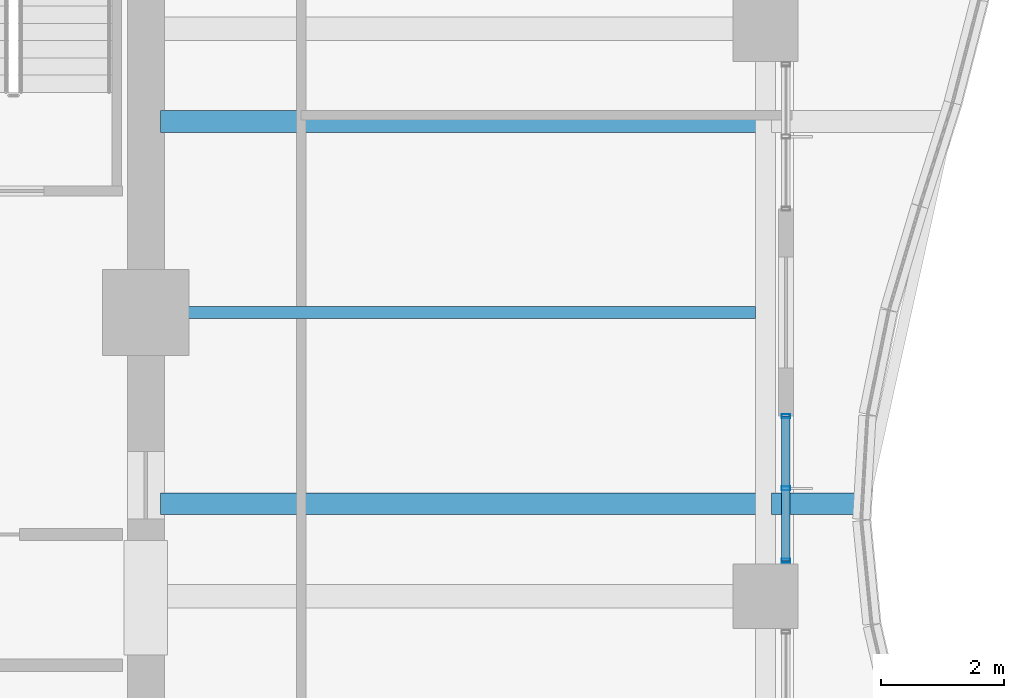
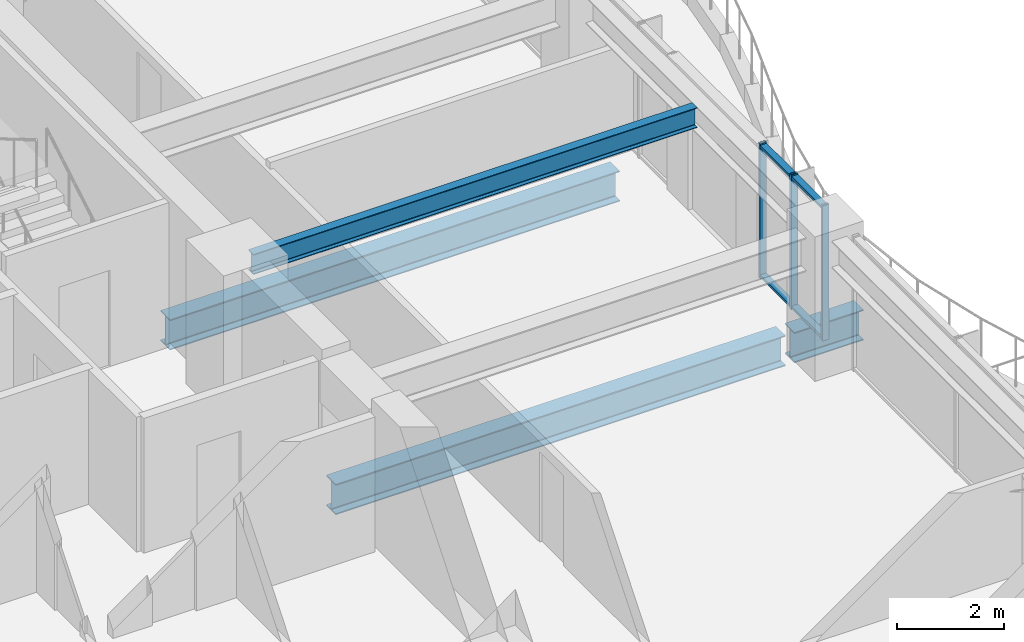
# One storey, part 16 of 36: 5 members, 4 beams, 1 element without a shape of its own.
"""IFC4 building model written with IfcOpenShell, lengths in metres."""

from ifc_helpers import new_model, si_unit, direction, frame, origin, origin_2d, place, context, subcontext, project, spatial, hollow_rectangle, i_section, extrude, material, material_profile, profile_set, type_object, element, aggregate, save


model = new_model("IFC4")

# Units and contexts
model_context = context("Model", 3, precision=1e-05, world=origin(), true_north=direction((0.0, 1.0)))
body_context = subcontext(model_context, "Body", "Model", "MODEL_VIEW")
ifc_project = project(units=[si_unit("LENGTHUNIT", "METRE"), si_unit("AREAUNIT", "SQUARE_METRE"), si_unit("VOLUMEUNIT", "CUBIC_METRE"), si_unit("PLANEANGLEUNIT", "RADIAN"), si_unit("MASSUNIT", "GRAM", prefix="KILO")], contexts=[model_context])

# Site, building, storey
site_placement = place(None, origin())
site = spatial("IfcSite", under=ifc_project, at=site_placement, CompositionType="ELEMENT")
building_placement = place(site_placement, origin())
building = spatial("IfcBuilding", under=site, at=building_placement, Name="Kolvaren Belvedere", CompositionType="ELEMENT")
storey_placement = place(building_placement, frame((0.0, 0.0, 95.300048828125)))
storey = spatial("IfcBuildingStorey", under=building, at=storey_placement, Name="L27", CompositionType="ELEMENT", Elevation=95.300048828125)

# Beams
ifc_material_1 = material(Name="Structural steel ASTM A992 Grade 50", Category="steel")
ifc_material_profile_1 = material_profile(ifc_material_1, i_section(OverallWidth=0.35498046875, OverallDepth=0.696044921875, WebThickness=0.015380859375, FlangeThickness=0.02490234375, FilletRadius=0.02197265625, at=origin_2d()), Name="W27X146")
ifc_profile_set_1 = profile_set([ifc_material_profile_1], Name="Structural steel ASTM A992 Grade 50")
beam_type_1 = type_object("IfcBeamType", Name="BM-CANT-BAL", PredefinedType="BEAM", material=ifc_profile_set_1)
beam_1_placement = place(storey_placement, frame((20.044921875, -3.10009765625, -0.568115234375), z_axis=(1.0, 0.0, 0.0), x_axis=(0.0, 1.0, 0.0)))
element("IfcBeam", 1, at=beam_1_placement, inside=storey, type_object=beam_type_1, Name="L27 Planted Balcony Cantilever BAL-E-1", PredefinedType="BEAM", context=body_context, shape_type="SweptSolid", body=[
    extrude(i_section(OverallWidth=0.35498046875, OverallDepth=0.696044921875, WebThickness=0.015380859375, FlangeThickness=0.02490234375, FilletRadius=0.02197265625, at=origin_2d()), origin(), (0.0, 0.0, 1.0), 1.49267578125),
])
ifc_material_2 = material(Name="Structural steel ASTM A992 Grade 50", Category="steel")
ifc_material_profile_2 = material_profile(ifc_material_2, i_section(OverallWidth=0.35498046875, OverallDepth=0.696044921875, WebThickness=0.015380859375, FlangeThickness=0.02490234375, FilletRadius=0.02197265625, at=origin_2d()), Name="W27X146")
ifc_profile_set_2 = profile_set([ifc_material_profile_2], Name="Structural steel ASTM A992 Grade 50")
beam_type_2 = type_object("IfcBeamType", Name="BM-GIRD-W27X146", PredefinedType="BEAM", material=ifc_profile_set_2)
for number, where, z_axis, x_axis, name in (
    (2, (10.139892578125, -3.10009765625, -0.568115234375), (1.0, 0.0, 0.0), (0.0, 1.0, 0.0), "L27 Balcony Interior Back-Span Girder BAL-E-1"),
    (3, (10.139892578125, 3.10009765625, -0.568115234375), (1.0, 0.0, 0.0), (0.0, 1.0, 0.0), "L27 Balcony Interior Back-Span Girder BAL-E-2"),
):
    element("IfcBeam", number, at=place(storey_placement, frame(where, z_axis=z_axis, x_axis=x_axis)), inside=storey, type_object=beam_type_2, Name=name, PredefinedType="BEAM", context=body_context, shape_type="SweptSolid", body=[
        extrude(i_section(OverallWidth=0.35498046875, OverallDepth=0.696044921875, WebThickness=0.015380859375, FlangeThickness=0.02490234375, FilletRadius=0.02197265625, at=origin_2d()), origin(), (0.0, 0.0, 1.0), 9.715087890625),
    ])
ifc_material_3 = material(Name="Structural steel ASTM A992 Grade 50", Category="steel")
ifc_material_profile_3 = material_profile(ifc_material_3, i_section(OverallWidth=0.19091796875, OverallDepth=0.4599609375, WebThickness=0.010009765625, FlangeThickness=0.01611328125, FilletRadius=0.014892578125, at=origin_2d()), Name="W18X55")
ifc_profile_set_3 = profile_set([ifc_material_profile_3], Name="Structural steel ASTM A992 Grade 50")
beam_type_3 = type_object("IfcBeamType", Name="BM-JOIST-W18X55", PredefinedType="BEAM", material=ifc_profile_set_3)
beam_2_placement = place(storey_placement, frame((10.199951171875, 0.0, 2.849853515625), z_axis=(1.0, 0.0, 0.0), x_axis=(0.0, 1.0, 0.0)))
element("IfcBeam", 4, at=beam_2_placement, inside=storey, type_object=beam_type_3, Name="L27 East Centre Floor Beam", PredefinedType="BEAM", context=body_context, shape_type="SweptSolid", body=[
    extrude(i_section(OverallWidth=0.19091796875, OverallDepth=0.4599609375, WebThickness=0.010009765625, FlangeThickness=0.01611328125, FilletRadius=0.014892578125, at=origin_2d()), origin(), (0.0, 0.0, 1.0), 9.587646484375),
])

# Curtain wall, members
ifc_material_4 = material(Name="Anodised pale-metal aluminium AA 6063-T6", Category="aluminium")
curtain_wall_type = type_object("IfcCurtainWallType", Name="CW-Z2-MID", PredefinedType="NOTDEFINED", material=ifc_material_4)
curtain_wall_placement = place(storey_placement, origin())
curtain_wall = element("IfcCurtainWall", 5, at=curtain_wall_placement, inside=storey, type_object=curtain_wall_type, Name="L27 Unitised Curtain Wall FCW-L27-E2-B1", PredefinedType="NOTDEFINED")
ifc_material_5 = material(Name="Anodised pale-metal aluminium AA 6063-T6", Category="aluminium")
ifc_material_profile_4 = material_profile(ifc_material_5, hollow_rectangle(XDim=0.06494140625, YDim=0.139892578125, WallThickness=0.00390625, at=origin_2d()), Name="ALU-MUL-140X65")
ifc_profile_set_4 = profile_set([ifc_material_profile_4], Name="Anodised pale-metal aluminium AA 6063-T6")
member_type_1 = type_object("IfcMemberType", Name="CW-MUL-140", PredefinedType="MULLION", material=ifc_profile_set_4)
member_1_placement = place(storey_placement, frame((20.280029296875, -1.679931640625, 0.0), z_axis=(0.0, 0.0, 1.0), x_axis=(0.0, 1.0, 0.0)))
member_1 = element("IfcMember", 6, at=member_1_placement, type_object=member_type_1, Name="FCW-L27-E2-B1 Unitised Mullion 1", PredefinedType="MULLION", context=body_context, shape_type="SweptSolid", body=[
    extrude(hollow_rectangle(XDim=0.06494140625, YDim=0.139892578125, WallThickness=0.00390625, at=origin_2d()), origin(), (0.0, 0.0, 1.0), 3.079833984375),
])
member_2_placement = place(storey_placement, frame((20.280029296875, -2.851318359375, 0.0), z_axis=(0.0, 0.0, 1.0), x_axis=(0.0, 1.0, 0.0)))
member_2 = element("IfcMember", 7, at=member_2_placement, type_object=member_type_1, Name="FCW-L27-E2-B1 Unitised Mullion 2", PredefinedType="MULLION", context=body_context, shape_type="SweptSolid", body=[
    extrude(hollow_rectangle(XDim=0.06494140625, YDim=0.139892578125, WallThickness=0.00390625, at=origin_2d()), origin(), (0.0, 0.0, 1.0), 3.079833984375),
])
member_3_placement = place(storey_placement, frame((20.280029296875, -4.0224609375, 0.0), z_axis=(0.0, 0.0, 1.0), x_axis=(0.0, 1.0, 0.0)))
member_3 = element("IfcMember", 8, at=member_3_placement, type_object=member_type_1, Name="FCW-L27-E2-B1 Unitised Mullion 3", PredefinedType="MULLION", context=body_context, shape_type="SweptSolid", body=[
    extrude(hollow_rectangle(XDim=0.06494140625, YDim=0.139892578125, WallThickness=0.00390625, at=origin_2d()), origin(), (0.0, 0.0, 1.0), 3.079833984375),
])
ifc_material_6 = material(Name="Anodised pale-metal aluminium AA 6063-T6", Category="aluminium")
ifc_material_profile_5 = material_profile(ifc_material_6, hollow_rectangle(XDim=0.06005859375, YDim=0.139892578125, WallThickness=0.00390625, at=origin_2d()), Name="ALU-TRN-140X60")
ifc_profile_set_5 = profile_set([ifc_material_profile_5], Name="Anodised pale-metal aluminium AA 6063-T6")
member_type_2 = type_object("IfcMemberType", Name="CW-TRN-140", PredefinedType="USERDEFINED", material=ifc_profile_set_5)
member_4_placement = place(storey_placement, frame((20.280029296875, -1.679931640625, 0.06005859375), z_axis=(0.0, -1.0, 0.0), x_axis=(0.0, 0.0, 1.0)))
member_4 = element("IfcMember", 9, at=member_4_placement, type_object=member_type_2, Name="FCW-L27-E2-B1 Sill Transom", ObjectType="TRANSOM", PredefinedType="USERDEFINED", context=body_context, shape_type="SweptSolid", body=[
    extrude(hollow_rectangle(XDim=0.06005859375, YDim=0.139892578125, WallThickness=0.00390625, at=origin_2d()), origin(), (0.0, 0.0, 1.0), 2.342529296875),
])
member_5_placement = place(storey_placement, frame((20.280029296875, -1.679931640625, 3.02001953125), z_axis=(0.0, -1.0, 0.0), x_axis=(0.0, 0.0, 1.0)))
member_5 = element("IfcMember", 10, at=member_5_placement, type_object=member_type_2, Name="FCW-L27-E2-B1 Head Transom", ObjectType="TRANSOM", PredefinedType="USERDEFINED", context=body_context, shape_type="SweptSolid", body=[
    extrude(hollow_rectangle(XDim=0.06005859375, YDim=0.139892578125, WallThickness=0.00390625, at=origin_2d()), origin(), (0.0, 0.0, 1.0), 2.342529296875),
])
aggregate(curtain_wall, [member_1, member_2, member_3, member_4, member_5])

save(model, "model.ifc")
